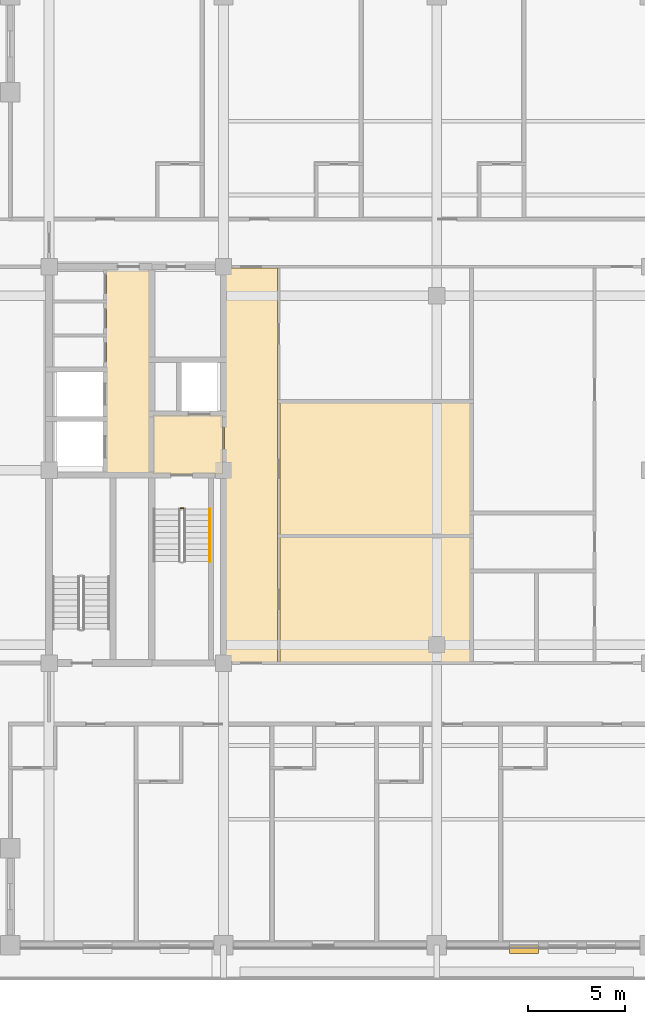
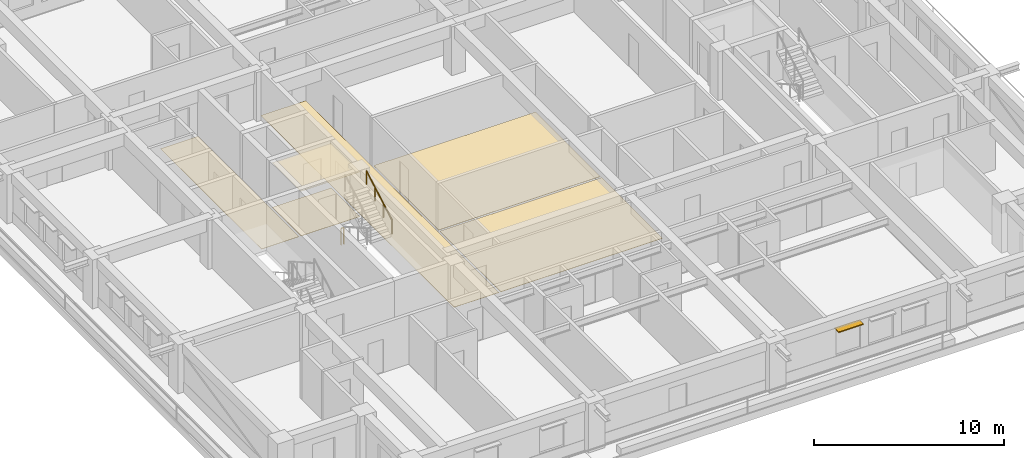
# One storey, part 12 of 15: 6 coverings, 2 railings, 1 shading device.
"""IFC4 building model written with IfcOpenShell, lengths in metres."""

import ifcopenshell
import ifcopenshell.guid

model = None  # the IFC model being written
_history = None  # IfcOwnerHistory: only IFC2X3 demands one
_inside = {}  # id of a spatial element -> (the spatial element, [elements in it])
_under = {}  # id of a project, library or spatial element -> (it, [spatial elements below it])
_declared = {}  # id of a project -> (the project, [libraries it declares])
_typed = {}  # id of a type object -> (the type object, [elements of that type])
_made_of = {}  # id of a material, layer set ... -> (it, [elements and type objects made of it])


def new_model(schema):
    """Start an empty IFC model of exactly this schema.

    Asked for "IFC4X3", IfcOpenShell would pick the latest addendum, in which some entities
    have other attributes; the version numbers below select the first issue.
    IFC2X3 requires an IfcOwnerHistory on every rooted entity: one is made here for all.
    """
    global model, _history
    if schema == "IFC4X3":
        model = ifcopenshell.file(schema_version=(4, 3, 0, 0))
    else:
        model = ifcopenshell.file(schema=schema)
    _inside.clear()
    _under.clear()
    _declared.clear()
    _typed.clear()
    _made_of.clear()
    _history = None
    if model.schema == "IFC2X3":
        org = make("IfcOrganization", Name="unknown")
        user = make(
            "IfcPersonAndOrganization",
            ThePerson=make("IfcPerson", FamilyName="unknown"),
            TheOrganization=org,
        )
        app = make(
            "IfcApplication",
            ApplicationDeveloper=org,
            Version="unknown",
            ApplicationFullName="unknown",
            ApplicationIdentifier="unknown",
        )
        _history = make(
            "IfcOwnerHistory",
            OwningUser=user,
            OwningApplication=app,
            ChangeAction="ADDED",
            CreationDate=0,
        )
    return model


def make(cls, **values):
    """One entity of the class cls with the attributes given. An attribute that is None is left unset."""
    return model.create_entity(
        cls, **{name: value for name, value in values.items() if value is not None}
    )


def rooted(cls, **values):
    """An entity with a GlobalId (a new one), such as an element, a storey or a relation."""
    return make(cls, GlobalId=ifcopenshell.guid.new(), OwnerHistory=_history, **values)


def si_unit(unit_type, name, prefix=None):
    """IfcSIUnit, for example si_unit("LENGTHUNIT", "METRE", prefix="MILLI")."""
    return make("IfcSIUnit", UnitType=unit_type, Prefix=prefix, Name=name)


def assignment(units):
    """IfcUnitAssignment: the units of a project."""
    return None if units is None else make("IfcUnitAssignment", Units=units)


def point(xyz):
    """IfcCartesianPoint."""
    return None if xyz is None else make("IfcCartesianPoint", Coordinates=xyz)


def direction(xyz):
    """IfcDirection."""
    return None if xyz is None else make("IfcDirection", DirectionRatios=xyz)


def frame(location, z_axis=None, x_axis=None):
    """IfcAxis2Placement3D, a coordinate frame: its origin and axes. An axis left out is left unset."""
    return make(
        "IfcAxis2Placement3D",
        Location=point(location),
        Axis=direction(z_axis),
        RefDirection=direction(x_axis),
    )


def frame_2d(location, x_axis=None):
    """IfcAxis2Placement2D, a coordinate frame in the plane: its origin and x axis."""
    return make(
        "IfcAxis2Placement2D", Location=point(location), RefDirection=direction(x_axis)
    )


def origin():
    """The frame at (0, 0, 0) with its axes left unset."""
    return frame((0.0, 0.0, 0.0))


def origin_2d():
    """The frame at (0, 0) in the plane with its x axis left unset."""
    return frame_2d((0.0, 0.0))


def place(relative_to, where):
    """IfcLocalPlacement: puts the frame where relative to a parent placement (None: the world)."""
    return make(
        "IfcLocalPlacement", PlacementRelTo=relative_to, RelativePlacement=where
    )


def context(
    kind, dimensions, precision=None, world=None, true_north=None, identifier=None
):
    """IfcGeometricRepresentationContext, for example the 3D "Model" context."""
    return make(
        "IfcGeometricRepresentationContext",
        ContextIdentifier=identifier,
        ContextType=kind,
        CoordinateSpaceDimension=dimensions,
        Precision=precision,
        WorldCoordinateSystem=world,
        TrueNorth=true_north,
    )


def subcontext(parent, identifier, kind, view, scale=None):
    """IfcGeometricRepresentationSubContext, for example "Body" below "Model"."""
    return make(
        "IfcGeometricRepresentationSubContext",
        ContextIdentifier=identifier,
        ContextType=kind,
        ParentContext=parent,
        TargetScale=scale,
        TargetView=view,
    )


def project(units=None, contexts=None):
    """IfcProject with its units and contexts."""
    return rooted(
        "IfcProject",
        Name="project",
        RepresentationContexts=contexts,
        UnitsInContext=assignment(units),
    )


def spatial(cls, under=None, at=None, **own):
    """A site, building, storey or space (cls), placed at a placement, below another one or the project."""
    s = rooted(cls, ObjectPlacement=at, **own)
    if under is not None:
        _under.setdefault(under.id(), (under, []))[1].append(s)
    return s


def polyline(points):
    """IfcPolyline through the points."""
    return make("IfcPolyline", Points=[point(p) for p in points])


def profile(cls, at=None, kind="AREA", **sizes):
    """A parametric profile (cls). Its sizes go by their IFC names, for example OverallWidth=200.0."""
    return make(cls, ProfileType=kind, Position=at, **sizes)


def rectangle(**sizes):
    """IfcRectangleProfileDef."""
    return profile("IfcRectangleProfileDef", **sizes)


def outline(outer, holes=None, kind="AREA"):
    """IfcArbitraryClosedProfileDef: a profile drawn as a closed curve; with holes, ...WithVoids."""
    if holes is None:
        return make("IfcArbitraryClosedProfileDef", ProfileType=kind, OuterCurve=outer)
    return make(
        "IfcArbitraryProfileDefWithVoids",
        ProfileType=kind,
        OuterCurve=outer,
        InnerCurves=holes,
    )


def extrude(swept, where, along, depth):
    """IfcExtrudedAreaSolid: the profile swept, set in the frame where, extruded along a direction by depth."""
    return make(
        "IfcExtrudedAreaSolid",
        SweptArea=swept,
        Position=where,
        ExtrudedDirection=direction(along),
        Depth=depth,
    )


def shape(context_of_items, identifier, shape_type, items):
    """IfcShapeRepresentation: the items that make up one representation, for example the "Body"."""
    return make(
        "IfcShapeRepresentation",
        ContextOfItems=context_of_items,
        RepresentationIdentifier=identifier,
        RepresentationType=shape_type,
        Items=items,
    )


def material(Name=None, Category=None):
    """IfcMaterial."""
    return make("IfcMaterial", Name=Name, Category=Category)


def layer(
    of_material, thickness, ventilated=None, Name=None, Category=None, Priority=None
):
    """IfcMaterialLayer: one layer of a wall or slab, of a material (None: an air gap)."""
    return make(
        "IfcMaterialLayer",
        Material=of_material,
        LayerThickness=thickness,
        IsVentilated=ventilated,
        Name=Name,
        Category=Category,
        Priority=Priority,
    )


def layer_set(layers, Name=None):
    """IfcMaterialLayerSet."""
    return make("IfcMaterialLayerSet", MaterialLayers=layers, LayerSetName=Name)


def made_of(thing, what):
    """Note that an element or type object is made of a material, layer set ...; save() writes the relation."""
    if what is not None:
        _made_of.setdefault(what.id(), (what, []))[1].append(thing)
    return thing


def type_object(cls, material=None, **own):
    """A type object (cls), such as IfcWallType, which elements share."""
    return made_of(rooted(cls, **own), material)


def element(
    cls,
    number,
    at=None,
    inside=None,
    cuts=None,
    type_object=None,
    material=None,
    context=None,
    identifier="Body",
    shape_type=None,
    held_by="IfcProductDefinitionShape",
    body=None,
    shapes=None,
    **own,
):
    """One element of the class cls, such as IfcWall. Its Tag is "e" and its number.

    at: its placement. inside: the storey or other place that contains it. cuts: it is an
    opening in that element (IfcRelVoidsElement). A single representation is given by context,
    identifier, shape_type and body (its items); several are given by shapes. held_by: the class
    of the entity that holds the representations. save() writes the other relations.
    """
    e = rooted(cls, Tag="e%d" % number, ObjectPlacement=at, **own)
    if body is not None:
        shapes = [shape(context, identifier, shape_type, body)]
    if shapes is not None:
        e.Representation = make(held_by, Representations=shapes)
    if inside is not None:
        _inside.setdefault(inside.id(), (inside, []))[1].append(e)
    if cuts is not None:
        rooted(
            "IfcRelVoidsElement", RelatingBuildingElement=cuts, RelatedOpeningElement=e
        )
    if type_object is not None:
        _typed.setdefault(type_object.id(), (type_object, []))[1].append(e)
    return made_of(e, material)


def aggregate(whole, parts):
    """IfcRelAggregates: a whole, such as a stair, and the parts it consists of."""
    return rooted("IfcRelAggregates", RelatingObject=whole, RelatedObjects=parts)


def save(model, path):
    """Write the relations noted so far, then the file.

    IfcRelAggregates (storeys below a building ...), IfcRelContainedInSpatialStructure (elements
    in a storey), IfcRelDefinesByType, IfcRelAssociatesMaterial and IfcRelDeclares: one each for
    every whole, place, type object, material and project.
    """
    for whole, parts in _under.values():
        aggregate(whole, parts)
    for where, things in _inside.values():
        rooted(
            "IfcRelContainedInSpatialStructure",
            RelatedElements=things,
            RelatingStructure=where,
        )
    for kind, things in _typed.values():
        rooted("IfcRelDefinesByType", RelatedObjects=things, RelatingType=kind)
    for what, things in _made_of.values():
        rooted("IfcRelAssociatesMaterial", RelatedObjects=things, RelatingMaterial=what)
    for by, libraries in _declared.values():
        rooted("IfcRelDeclares", RelatingContext=by, RelatedDefinitions=libraries)
    model.write(path)


model = new_model("IFC4")

# Units and contexts
model_context = context("Model", 3, precision=1e-05, world=origin(), true_north=direction((0.0, 1.0)))
body_context = subcontext(model_context, "Body", "Model", "MODEL_VIEW")
ifc_project = project(units=[si_unit("LENGTHUNIT", "METRE"), si_unit("AREAUNIT", "SQUARE_METRE"), si_unit("VOLUMEUNIT", "CUBIC_METRE"), si_unit("PLANEANGLEUNIT", "RADIAN"), si_unit("MASSUNIT", "GRAM", prefix="KILO")], contexts=[model_context])

# Site, building, storey
site_placement = place(None, origin())
site = spatial("IfcSite", under=ifc_project, at=site_placement, CompositionType="ELEMENT")
building_placement = place(site_placement, origin())
building = spatial("IfcBuilding", under=site, at=building_placement, Name="Zulmaris Gate Convention Tower", CompositionType="ELEMENT")
storey_placement = place(building_placement, frame((0.0, 0.0, 201.659912109375)))
storey = spatial("IfcBuildingStorey", under=building, at=storey_placement, Name="L52", CompositionType="ELEMENT", Elevation=201.659912109375)

# Coverings
ifc_material_1 = material(Name="Mineral Fibre Acoustic Ceiling Tile")
ifc_layer_1 = layer(ifc_material_1, 0.02001953125, Name="Mineral Fibre Acoustic Ceiling Tile")
ifc_layer_set_1 = layer_set([ifc_layer_1], Name="Mineral Fibre Acoustic Ceiling Tile")
covering_type_1 = type_object("IfcCoveringType", Name="CLG-ACOUSTIC-600", PredefinedType="CEILING", material=ifc_layer_set_1)
covering_1_placement = place(storey_placement, frame((0.0, 0.0, 2.8701171875)))
element("IfcCovering", 1, at=covering_1_placement, inside=storey, type_object=covering_type_1, Name="CLG-L52-R03", PredefinedType="CEILING", context=body_context, shape_type="SweptSolid", body=[
    extrude(outline(polyline([(-14.639892578125, -0.18994140625), (-11.06005859375, -0.18994140625), (-11.06005859375, 2.840087890625), (-14.639892578125, 2.840087890625), (-14.639892578125, -0.18994140625)])), origin(), (0.0, 0.0, 1.0), 0.02001953125),
])
ifc_material_2 = material(Name="Woven Acoustic Wool Carpet Tile")
ifc_layer_2 = layer(ifc_material_2, 0.02001953125, Name="Woven Acoustic Wool Carpet Tile")
ifc_layer_set_2 = layer_set([ifc_layer_2], Name="Woven Acoustic Wool Carpet Tile")
covering_type_2 = type_object("IfcCoveringType", Name="FLR-CARPET-12", PredefinedType="FLOORING", material=ifc_layer_set_2)
covering_2_placement = place(storey_placement, origin())
element("IfcCovering", 2, at=covering_2_placement, inside=storey, type_object=covering_type_2, Name="FLR-L52-R03", PredefinedType="FLOORING", context=body_context, shape_type="SweptSolid", body=[
    extrude(outline(polyline([(-14.639892578125, -0.18994140625), (-11.06005859375, -0.18994140625), (-11.06005859375, 2.840087890625), (-14.639892578125, 2.840087890625), (-14.639892578125, -0.18994140625)])), origin(), (0.0, 0.0, 1.0), 0.02001953125),
])
covering_3_placement = place(storey_placement, origin())
element("IfcCovering", 3, at=covering_3_placement, inside=storey, type_object=covering_type_2, Name="FLR-L52-R18", PredefinedType="FLOORING", context=body_context, shape_type="SweptSolid", body=[
    extrude(outline(polyline([(-17.0400390625, -0.18994140625), (-14.760009765625, -0.18994140625), (-14.760009765625, 10.43994140625), (-17.0400390625, 10.43994140625), (-17.0400390625, -0.18994140625)])), origin(), (0.0, 0.0, 1.0), 0.02001953125),
])
covering_4_placement = place(storey_placement, origin())
element("IfcCovering", 4, at=covering_4_placement, inside=storey, type_object=covering_type_2, Name="FLR-L52-R33", PredefinedType="FLOORING", context=body_context, shape_type="SweptSolid", body=[
    extrude(outline(polyline([(-10.93994140625, -9.889892578125), (-8.2099609375, -9.889892578125), (-8.2099609375, 10.43994140625), (-10.93994140625, 10.43994140625), (-10.93994140625, -9.889892578125)])), origin(), (0.0, 0.0, 1.0), 0.02001953125),
])
covering_5_placement = place(storey_placement, origin())
element("IfcCovering", 5, at=covering_5_placement, inside=storey, type_object=covering_type_2, Name="FLR-L52-R56", PredefinedType="FLOORING", context=body_context, shape_type="SweptSolid", body=[
    extrude(outline(polyline([(-8.090087890625, -9.889892578125), (1.739990234375, -9.889892578125), (1.739990234375, -3.4599609375), (-8.090087890625, -3.4599609375), (-8.090087890625, -9.889892578125)])), origin(), (0.0, 0.0, 1.0), 0.02001953125),
])
ifc_material_3 = material(Name="Polished Granite Terrazzo Tile", Category="masonry")
ifc_layer_3 = layer(ifc_material_3, 0.02001953125, Name="Polished Granite Terrazzo Tile")
ifc_layer_set_3 = layer_set([ifc_layer_3], Name="Polished Granite Terrazzo Tile")
covering_type_3 = type_object("IfcCoveringType", Name="FLR-TERRAZZO-30", PredefinedType="FLOORING", material=ifc_layer_set_3)
covering_6_placement = place(storey_placement, origin())
element("IfcCovering", 6, at=covering_6_placement, inside=storey, type_object=covering_type_3, Name="FLR-L52-R55", PredefinedType="FLOORING", context=body_context, shape_type="SweptSolid", body=[
    extrude(outline(polyline([(-8.090087890625, -3.340087890625), (1.739990234375, -3.340087890625), (1.739990234375, 3.489990234375), (-8.090087890625, 3.489990234375), (-8.090087890625, -3.340087890625)])), origin(), (0.0, 0.0, 1.0), 0.02001953125),
])

# Railings
ifc_material_4 = material(Name="Painted Galvanised Steel", Category="steel")
railing_type_1 = type_object("IfcRailingType", Name="RL-STG-1150", PredefinedType="GUARDRAIL", material=ifc_material_4)
railing_1_placement = place(storey_placement, frame((-13.219970703125, -1.949951171875, 0.0)))
element("IfcRailing", 7, at=railing_1_placement, inside=storey, type_object=railing_type_1, Name="L52 ST-1 stair guard 4", PredefinedType="GUARDRAIL", context=body_context, shape_type="SweptSolid", body=[
    extrude(rectangle(XDim=0.048095703125, YDim=0.048095703125, at=origin_2d()), frame((0.0, 0.0, 1.076171875), z_axis=(1.0, 0.0, 0.0), x_axis=(0.0, 1.0, 0.0)), (0.0, 0.0, 1.0), 0.159912109375),
    extrude(rectangle(XDim=0.0419921875, YDim=0.0419921875, at=origin_2d()), origin(), (0.0, 0.0, 1.0), 1.052001953125),
    extrude(rectangle(XDim=0.0419921875, YDim=0.0419921875, at=origin_2d()), frame((0.159912109375, 0.0, 0.0)), (0.0, 0.0, 1.0), 1.052001953125),
])
ifc_material_5 = material(Name="Brushed Stainless Steel", Category="steel")
railing_type_2 = type_object("IfcRailingType", Name="RL-STH-900", PredefinedType="HANDRAIL", material=ifc_material_5)
railing_2_placement = place(storey_placement, frame((-11.7099609375, -4.699951171875, 1.8701171875)))
element("IfcRailing", 8, at=railing_2_placement, inside=storey, type_object=railing_type_2, Name="L52 ST-1 stair handrail 2", PredefinedType="HANDRAIL", context=body_context, shape_type="SweptSolid", body=[
    extrude(rectangle(XDim=0.048095703125, YDim=0.048095703125, at=origin_2d()), frame((0.0, 0.0, 0.8759765625), z_axis=(0.0, 0.870014312096, 0.49302646658), x_axis=(-1.0, 0.0, 0.0)), (0.0, 0.0, 1.0), 3.103271484375),
    extrude(rectangle(XDim=0.0419921875, YDim=0.0419921875, at=origin_2d()), origin(), (0.0, 0.0, 1.0), 0.851806640625),
    extrude(rectangle(XDim=0.0419921875, YDim=0.0419921875, at=origin_2d()), frame((0.0, 0.89990234375, 0.510009765625)), (0.0, 0.0, 1.0), 0.851806640625),
    extrude(rectangle(XDim=0.0419921875, YDim=0.0419921875, at=origin_2d()), frame((0.0, 1.800048828125, 1.02001953125)), (0.0, 0.0, 1.0), 0.851806640625),
    extrude(rectangle(XDim=0.0419921875, YDim=0.0419921875, at=origin_2d()), frame((0.0, 2.699951171875, 1.530029296875)), (0.0, 0.0, 1.0), 0.851806640625),
])

# Shading device
ifc_material_6 = material(Name="Glazed Ceramic Terracotta", Category="masonry")
ifc_layer_4 = layer(ifc_material_6, 0.070068359375, Name="Glazed Ceramic Terracotta")
ifc_layer_set_4 = layer_set([ifc_layer_4], Name="Glazed Ceramic Terracotta")
shading_device_type = type_object("IfcShadingDeviceType", Name="SHD-SUNSHADE-TC", PredefinedType="AWNING", material=ifc_layer_set_4)
shading_device_placement = place(storey_placement, frame((3.756103515625, -24.719970703125, 2.35009765625), z_axis=(0.0, 0.0, 1.0), x_axis=(1.0, 0.0, 0.0)))
element("IfcShadingDevice", 9, at=shading_device_placement, inside=storey, type_object=shading_device_type, Name="SHD-EW-L52-S-2_0-2", PredefinedType="AWNING", context=body_context, shape_type="SweptSolid", body=[
    extrude(rectangle(XDim=1.5, YDim=0.43994140625, at=frame_2d((0.75, 0.0))), origin(), (0.0, 0.0, 1.0), 0.06982421875),
])

save(model, "model.ifc")
